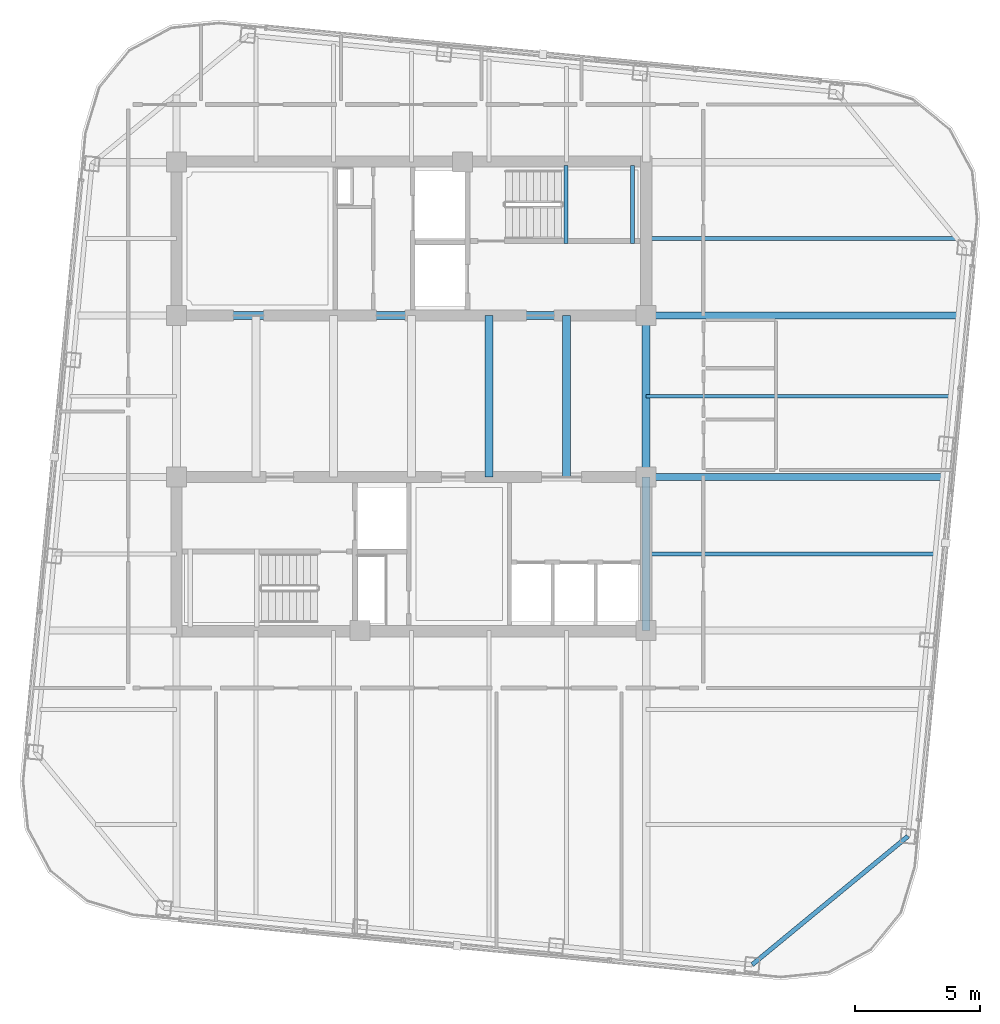
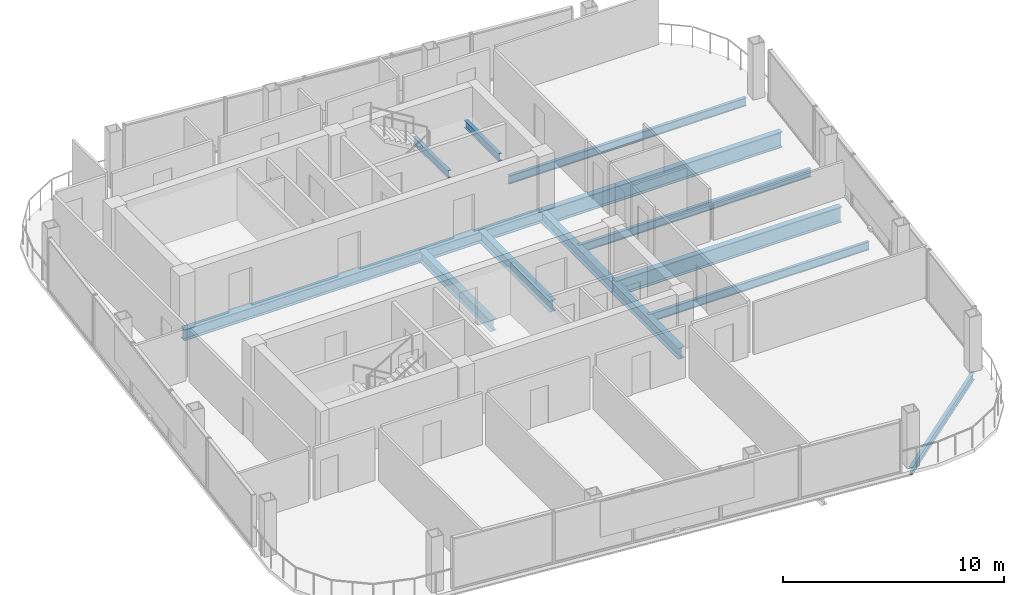
# One storey, part 10 of 22: 13 beams.
"""IFC4 building model written with IfcOpenShell, lengths in metres."""

from ifc_helpers import new_model, si_unit, direction, frame, origin, origin_2d, place, context, subcontext, project, spatial, i_section, extrude, material, material_profile, profile_set, type_object, element, save


model = new_model("IFC4")

# Units and contexts
model_context = context("Model", 3, precision=1e-05, world=origin(), true_north=direction((0.0, 1.0)))
body_context = subcontext(model_context, "Body", "Model", "MODEL_VIEW")
ifc_project = project(units=[si_unit("LENGTHUNIT", "METRE"), si_unit("AREAUNIT", "SQUARE_METRE"), si_unit("VOLUMEUNIT", "CUBIC_METRE"), si_unit("PLANEANGLEUNIT", "RADIAN"), si_unit("MASSUNIT", "GRAM", prefix="KILO")], contexts=[model_context])

# Site, building, storey
site_placement = place(None, origin())
site = spatial("IfcSite", under=ifc_project, at=site_placement, CompositionType="ELEMENT")
building_placement = place(site_placement, origin())
building = spatial("IfcBuilding", under=site, at=building_placement, Name="Qhalaya Broadcast Tower", CompositionType="ELEMENT")
storey_placement = place(building_placement, frame((0.0, 0.0, 252.0)))
storey = spatial("IfcBuildingStorey", under=building, at=storey_placement, Name="L74", CompositionType="ELEMENT", Elevation=252.0)

# Beams
ifc_material = material(Name="Structural Steel ASTM A992 Grade 50", Category="steel")
ifc_material_profile_1 = material_profile(ifc_material, i_section(OverallWidth=0.154052734375, OverallDepth=0.458984375, WebThickness=0.009033203125, FlangeThickness=0.015380859375, at=origin_2d()), Name="W18X46")
ifc_profile_set_1 = profile_set([ifc_material_profile_1], Name="Structural Steel ASTM A992 Grade 50")
beam_type_1 = type_object("IfcBeamType", Name="Composite Floor Joist J04", PredefinedType="JOIST", material=ifc_profile_set_1)
beam_1_placement = place(storey_placement, frame((9.375, -5.699951171875, -0.41943359375), z_axis=(1.0, 0.0, 0.0), x_axis=(0.0, 1.0, 0.0)))
element("IfcBeam", 1, at=beam_1_placement, inside=storey, type_object=beam_type_1, Name="L74 J04 L74-JWE3E-1", PredefinedType="JOIST", context=body_context, shape_type="SweptSolid", body=[
    extrude(i_section(OverallWidth=0.154052734375, OverallDepth=0.458984375, WebThickness=0.009033203125, FlangeThickness=0.015380859375, at=origin_2d()), origin(), (0.0, 0.0, 1.0), 11.517822265625),
])
beam_2_placement = place(storey_placement, frame((9.375, 0.60009765625, -0.41943359375), z_axis=(1.0, 0.0, 0.0), x_axis=(0.0, 1.0, 0.0)))
element("IfcBeam", 2, at=beam_2_placement, inside=storey, type_object=beam_type_1, Name="L74 J04 L74-JWE4E-1", PredefinedType="JOIST", context=body_context, shape_type="SweptSolid", body=[
    extrude(i_section(OverallWidth=0.154052734375, OverallDepth=0.458984375, WebThickness=0.009033203125, FlangeThickness=0.015380859375, at=origin_2d()), origin(), (0.0, 0.0, 1.0), 12.12451171875),
])
beam_3_placement = place(storey_placement, frame((9.375, 6.89990234375, -0.41943359375), z_axis=(1.0, 0.0, 0.0), x_axis=(0.0, 1.0, 0.0)))
element("IfcBeam", 3, at=beam_3_placement, inside=storey, type_object=beam_type_1, Name="L74 J04 L74-JWE5E-1", PredefinedType="JOIST", context=body_context, shape_type="SweptSolid", body=[
    extrude(i_section(OverallWidth=0.154052734375, OverallDepth=0.458984375, WebThickness=0.009033203125, FlangeThickness=0.015380859375, at=origin_2d()), origin(), (0.0, 0.0, 1.0), 12.38330078125),
])
ifc_material_profile_2 = material_profile(ifc_material, i_section(OverallWidth=0.323974609375, OverallDepth=0.612060546875, WebThickness=0.0126953125, FlangeThickness=0.01904296875, at=origin_2d()), Name="W24X104")
ifc_profile_set_2 = profile_set([ifc_material_profile_2], Name="Structural Steel ASTM A992 Grade 50")
beam_type_2 = type_object("IfcBeamType", Name="Core Frame Tie Beam B04", PredefinedType="BEAM", material=ifc_profile_set_2)
beam_4_placement = place(storey_placement, frame((-9.375, 3.824951171875, -0.49609375), z_axis=(1.0, 0.0, 0.0), x_axis=(0.0, 1.0, 0.0)))
element("IfcBeam", 4, at=beam_4_placement, inside=storey, type_object=beam_type_2, Name="L74 B04 L74-CCN1", PredefinedType="BEAM", context=body_context, shape_type="SweptSolid", body=[
    extrude(i_section(OverallWidth=0.323974609375, OverallDepth=0.612060546875, WebThickness=0.0126953125, FlangeThickness=0.01904296875, at=origin_2d()), origin(), (0.0, 0.0, 1.0), 18.75),
])
beam_5_placement = place(storey_placement, frame((9.375, -8.75, -0.49609375), z_axis=(0.0, 1.0, 0.0), x_axis=(-1.0, 0.0, 0.0)))
element("IfcBeam", 5, at=beam_5_placement, inside=storey, type_object=beam_type_2, Name="L74 B04 L74-CCS2", PredefinedType="BEAM", context=body_context, shape_type="SweptSolid", body=[
    extrude(i_section(OverallWidth=0.323974609375, OverallDepth=0.612060546875, WebThickness=0.0126953125, FlangeThickness=0.01904296875, at=origin_2d()), origin(), (0.0, 0.0, 1.0), 6.125),
])
for number, where, z_axis, x_axis, name in (
    (6, (9.375, -2.625, -0.49609375), (0.0, 1.0, 0.0), (-1.0, 0.0, 0.0), "L74 B04 L74-CCE"),
    (7, (3.10009765625, -2.625, -0.49609375), (0.0, 1.0, 0.0), (-1.0, 0.0, 0.0), "L74 B04 L74-JC4-1"),
    (8, (6.199951171875, -2.625, -0.49609375), (0.0, 1.0, 0.0), (-1.0, 0.0, 0.0), "L74 B04 L74-JC5-1"),
):
    element("IfcBeam", number, at=place(storey_placement, frame(where, z_axis=z_axis, x_axis=x_axis)), inside=storey, type_object=beam_type_2, Name=name, PredefinedType="BEAM", context=body_context, shape_type="SweptSolid", body=[
        extrude(i_section(OverallWidth=0.323974609375, OverallDepth=0.612060546875, WebThickness=0.0126953125, FlangeThickness=0.01904296875, at=origin_2d()), origin(), (0.0, 0.0, 1.0), 6.449951171875),
    ])
ifc_material_profile_3 = material_profile(ifc_material, i_section(OverallWidth=0.2919921875, OverallDepth=0.85888671875, WebThickness=0.01708984375, FlangeThickness=0.031005859375, at=origin_2d()), Name="W33X169")
ifc_profile_set_3 = profile_set([ifc_material_profile_3], Name="Structural Steel ASTM A992 Grade 50")
beam_type_3 = type_object("IfcBeamType", Name="Upper Block Primary Girder PG4", PredefinedType="USERDEFINED", material=ifc_profile_set_3)
beam_6_placement = place(storey_placement, frame((9.375, -2.625, -0.619384765625), z_axis=(1.0, 0.0, 0.0), x_axis=(0.0, 1.0, 0.0)))
element("IfcBeam", 9, at=beam_6_placement, inside=storey, type_object=beam_type_3, Name="L74 PG4 L74-PGYE2-1", ObjectType="GIRDER", PredefinedType="USERDEFINED", context=body_context, shape_type="SweptSolid", body=[
    extrude(i_section(OverallWidth=0.2919921875, OverallDepth=0.85888671875, WebThickness=0.01708984375, FlangeThickness=0.031005859375, at=origin_2d()), origin(), (0.0, 0.0, 1.0), 11.81396484375),
])
beam_7_placement = place(storey_placement, frame((9.375, 3.824951171875, -0.619384765625), z_axis=(1.0, 0.0, 0.0), x_axis=(0.0, 1.0, 0.0)))
element("IfcBeam", 10, at=beam_7_placement, inside=storey, type_object=beam_type_3, Name="L74 PG4 L74-PGYE3-1", ObjectType="GIRDER", PredefinedType="USERDEFINED", context=body_context, shape_type="SweptSolid", body=[
    extrude(i_section(OverallWidth=0.2919921875, OverallDepth=0.85888671875, WebThickness=0.01708984375, FlangeThickness=0.031005859375, at=origin_2d()), origin(), (0.0, 0.0, 1.0), 12.43505859375),
])
ifc_material_profile_4 = material_profile(ifc_material, i_section(OverallWidth=0.177978515625, OverallDepth=0.406005859375, WebThickness=0.0078125, FlangeThickness=0.0126953125, at=origin_2d()), Name="W16X40")
ifc_profile_set_4 = profile_set([ifc_material_profile_4], Name="Structural Steel ASTM A992 Grade 50")
beam_type_4 = type_object("IfcBeamType", Name="Upper Perimeter Spandrel Beam SP2", PredefinedType="SPANDREL", material=ifc_profile_set_4)
beam_8_placement = place(storey_placement, frame((13.6083984375, -22.09033203125, -0.39306640625), z_axis=(0.771631160126, 0.636070241972, 0.0), x_axis=(-0.636070241972, 0.771631160126, 0.0)))
element("IfcBeam", 11, at=beam_8_placement, inside=storey, type_object=beam_type_4, Name="L74 SP2 L74-SPR-04", PredefinedType="SPANDREL", context=body_context, shape_type="SweptSolid", body=[
    extrude(i_section(OverallWidth=0.177978515625, OverallDepth=0.406005859375, WebThickness=0.0078125, FlangeThickness=0.0126953125, at=origin_2d()), origin(), (0.0, 0.0, 1.0), 8.06103515625),
])
for number, where, z_axis, x_axis, name in (
    (12, (6.175048828125, 6.699951171875, 1.1220703125), (0.0, 1.0, 0.0), (-1.0, 0.0, 0.0), "L74 ST-1 Half-Landing Bearer Beam 1"),
    (13, (8.830078125, 6.699951171875, 1.1220703125), (0.0, 1.0, 0.0), (-1.0, 0.0, 0.0), "L74 ST-1 Half-Landing Bearer Beam 2"),
):
    element("IfcBeam", number, at=place(storey_placement, frame(where, z_axis=z_axis, x_axis=x_axis)), inside=storey, type_object=beam_type_4, Name=name, PredefinedType="SPANDREL", context=body_context, shape_type="SweptSolid", body=[
        extrude(i_section(OverallWidth=0.177978515625, OverallDepth=0.406005859375, WebThickness=0.0078125, FlangeThickness=0.0126953125, at=origin_2d()), origin(), (0.0, 0.0, 1.0), 3.1201171875),
    ])

save(model, "model.ifc")
